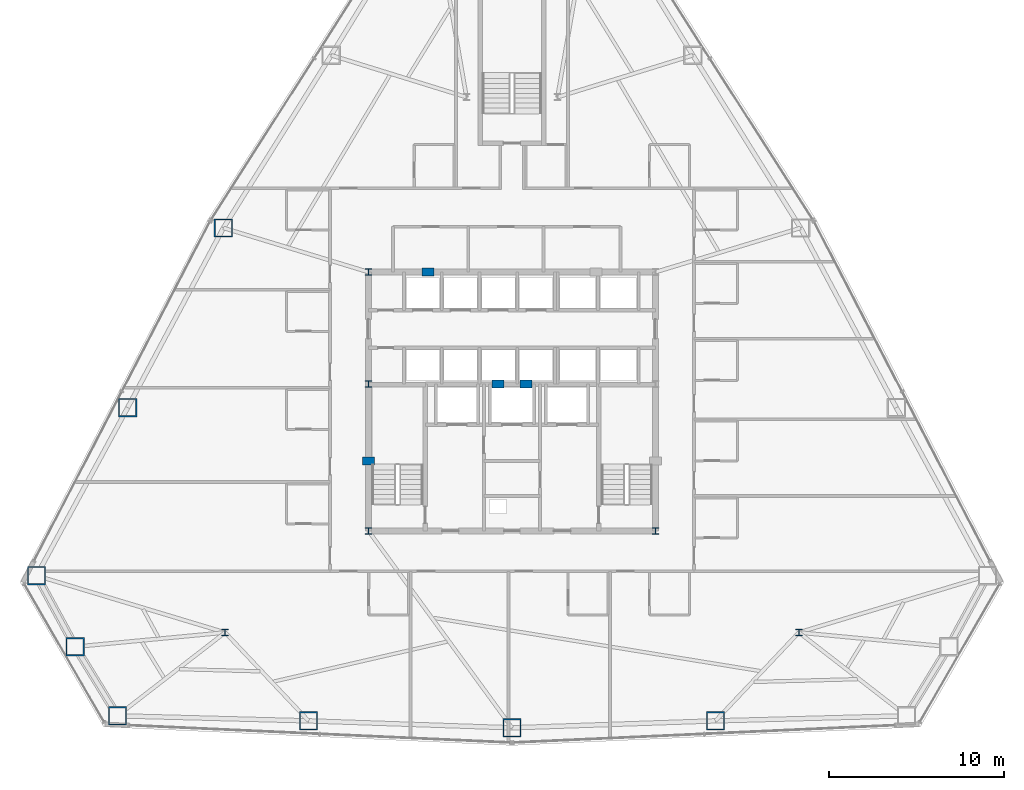
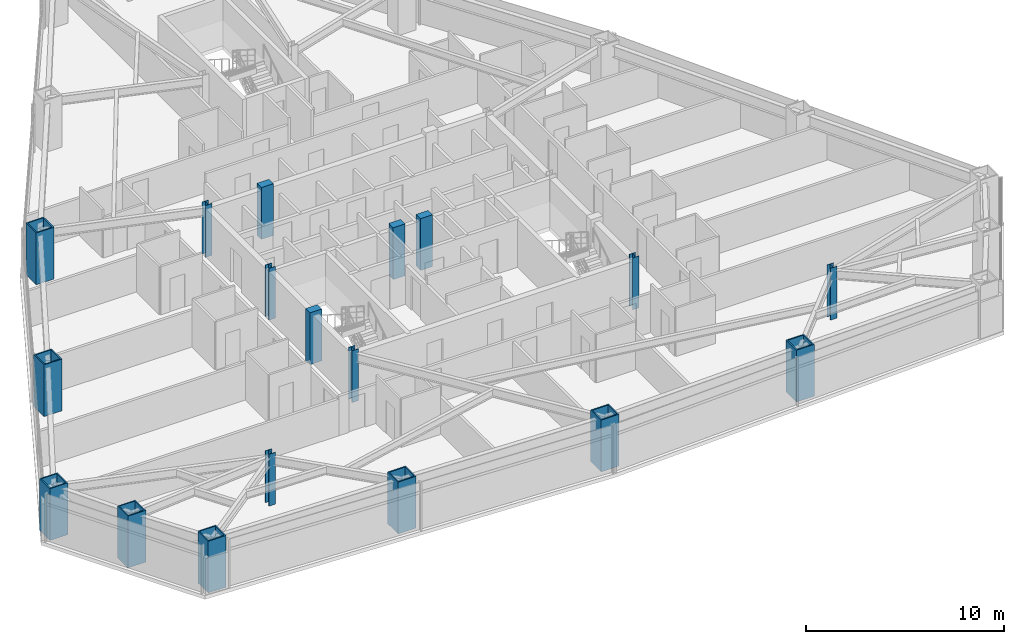
# One storey, part 1 of 13: 18 columns.
"""IFC4 building model written with IfcOpenShell, lengths in metres."""

from ifc_helpers import new_model, si_unit, direction, frame, origin, origin_2d, place, context, subcontext, project, spatial, rectangle, hollow_rectangle, i_section, extrude, material, material_profile, profile_set, type_object, element, save


model = new_model("IFC4")

# Units and contexts
model_context = context("Model", 3, precision=1e-05, world=origin(), true_north=direction((0.0, 1.0)))
body_context = subcontext(model_context, "Body", "Model", "MODEL_VIEW")
ifc_project = project(units=[si_unit("LENGTHUNIT", "METRE"), si_unit("AREAUNIT", "SQUARE_METRE"), si_unit("VOLUMEUNIT", "CUBIC_METRE"), si_unit("PLANEANGLEUNIT", "RADIAN"), si_unit("MASSUNIT", "GRAM", prefix="KILO")], contexts=[model_context])

# Site, building, storey
site_placement = place(None, origin())
site = spatial("IfcSite", under=ifc_project, at=site_placement, CompositionType="ELEMENT")
building_placement = place(site_placement, origin())
building = spatial("IfcBuilding", under=site, at=building_placement, Name="Varakhsha Concourse Tower", CompositionType="ELEMENT")
storey_placement = place(building_placement, frame((0.0, 0.0, 83.0)))
storey = spatial("IfcBuildingStorey", under=building, at=storey_placement, Name="L23", CompositionType="ELEMENT", Elevation=83.0)

# Columns
ifc_material_1 = material(Name="Structural Steel ASTM A992 Grade 50", Category="steel")
ifc_material_profile_1 = material_profile(ifc_material_1, i_section(OverallWidth=0.3740234375, OverallDepth=0.3720703125, WebThickness=0.01611328125, FlangeThickness=0.02587890625, at=origin_2d()), Name="W14X132")
ifc_profile_set_1 = profile_set([ifc_material_profile_1], Name="Structural Steel ASTM A992 Grade 50")
column_type_1 = type_object("IfcColumnType", Name="CL-CORE-W14X132", PredefinedType="COLUMN", material=ifc_profile_set_1)
for number, where, z_axis, x_axis, name in (
    (1, (31.800048828125, 16.39990234375, 0.0), (0.0, 0.0, 1.0), (1.0, 0.0, 0.0), "L23 Core Column CC-SW"),
    (2, (48.199951171875, 16.39990234375, 0.0), (0.0, 0.0, 1.0), (1.0, 0.0, 0.0), "L23 Core Column CC-SE"),
    (3, (31.800048828125, 24.800048828125, 0.0), (0.0, 0.0, 1.0), (1.0, 0.0, 0.0), "L23 Core Column CC-MW"),
    (4, (31.800048828125, 31.199951171875, 0.0), (0.0, 0.0, 1.0), (1.0, 0.0, 0.0), "L23 Core Column CC-NW"),
    (5, (23.60009765625, 10.60009765625, 0.0), (0.0, 0.0, 1.0), (1.0, 0.0, 0.0), "L23 Core Column SS-W"),
    (6, (56.39990234375, 10.60009765625, 0.0), (0.0, 0.0, 1.0), (1.0, 0.0, 0.0), "L23 Core Column SS-E"),
):
    element("IfcColumn", number, at=place(storey_placement, frame(where, z_axis=z_axis, x_axis=x_axis)), inside=storey, type_object=column_type_1, Name=name, PredefinedType="COLUMN", context=body_context, shape_type="SweptSolid", body=[
        extrude(i_section(OverallWidth=0.3740234375, OverallDepth=0.3720703125, WebThickness=0.01611328125, FlangeThickness=0.02587890625, at=origin_2d()), origin(), (0.0, 0.0, 1.0), 3.199951171875),
    ])
ifc_material_2 = material(Name="Concrete fc 65 MPa", Category="concrete")
ifc_material_profile_2 = material_profile(ifc_material_2, rectangle(XDim=0.699951171875, YDim=0.449951171875, at=origin_2d()), Name="RC 700x450")
ifc_profile_set_2 = profile_set([ifc_material_profile_2], Name="Concrete fc 65 MPa")
column_type_2 = type_object("IfcColumnType", Name="CL-PIL-700X450", PredefinedType="PILASTER", material=ifc_profile_set_2)
for number, where, z_axis, x_axis, name in (
    (7, (31.800048828125, 20.39990234375, 0.0), (0.0, 0.0, 1.0), (1.0, 0.0, 0.0), "L23 Core Boundary Pilaster PIL-W1"),
    (8, (35.199951171875, 31.199951171875, 0.0), (0.0, 0.0, 1.0), (1.0, 0.0, 0.0), "L23 Core Boundary Pilaster PIL-N1"),
    (9, (39.199951171875, 24.800048828125, 0.0), (0.0, 0.0, 1.0), (1.0, 0.0, 0.0), "L23 Core Boundary Pilaster PIL-M1"),
    (10, (40.800048828125, 24.800048828125, 0.0), (0.0, 0.0, 1.0), (1.0, 0.0, 0.0), "L23 Core Boundary Pilaster PIL-M2"),
):
    element("IfcColumn", number, at=place(storey_placement, frame(where, z_axis=z_axis, x_axis=x_axis)), inside=storey, type_object=column_type_2, Name=name, PredefinedType="PILASTER", context=body_context, shape_type="SweptSolid", body=[
        extrude(rectangle(XDim=0.699951171875, YDim=0.449951171875, at=origin_2d()), origin(), (0.0, 0.0, 1.0), 3.199951171875),
    ])
ifc_material_3 = material(Name="Structural Steel ASTM A572 Grade 50", Category="steel")
ifc_material_profile_3 = material_profile(ifc_material_3, hollow_rectangle(XDim=1.050048828125, YDim=1.050048828125, WallThickness=0.070068359375, at=origin_2d()), Name="BOX 1050x1050x70")
ifc_profile_set_3 = profile_set([ifc_material_profile_3], Name="Structural Steel ASTM A572 Grade 50")
column_type_3 = type_object("IfcColumnType", Name="CL-TUBE-1050", PredefinedType="COLUMN", material=ifc_profile_set_3)
for number, where, z_axis, x_axis, name in (
    (11, (23.50390625, 33.72412109375, 0.0), (0.0, 0.0, 1.0), (1.0, 0.0, 0.0), "L23 Framed-Tube Column TC05"),
    (12, (18.033203125, 23.45458984375, 0.0), (0.0, 0.0, 1.0), (1.0, 0.0, 0.0), "L23 Framed-Tube Column TC06"),
    (13, (12.822509765625, 13.849365234375, 0.0), (0.0, 0.0, 1.0), (1.0, 0.0, 0.0), "L23 Framed-Tube Column TC07"),
    (14, (15.03173828125, 9.784423828125, 0.0), (0.0, 0.0, 1.0), (1.0, 0.0, 0.0), "L23 Framed-Tube Column TC08"),
    (15, (17.447265625, 5.8388671875, 0.0), (0.0, 0.0, 1.0), (1.0, 0.0, 0.0), "L23 Framed-Tube Column TC09"),
    (16, (28.37109375, 5.549072265625, 0.0), (0.0, 0.0, 1.0), (1.0, 0.0, 0.0), "L23 Framed-Tube Column TC10"),
    (17, (40.0, 5.15185546875, 0.0), (0.0, 0.0, 1.0), (1.0, 0.0, 0.0), "L23 Framed-Tube Column TC11"),
    (18, (51.62890625, 5.549072265625, 0.0), (0.0, 0.0, 1.0), (1.0, 0.0, 0.0), "L23 Framed-Tube Column TC12"),
):
    element("IfcColumn", number, at=place(storey_placement, frame(where, z_axis=z_axis, x_axis=x_axis)), inside=storey, type_object=column_type_3, Name=name, PredefinedType="COLUMN", context=body_context, shape_type="SweptSolid", body=[
        extrude(hollow_rectangle(XDim=1.050048828125, YDim=1.050048828125, WallThickness=0.070068359375, at=origin_2d()), origin(), (0.0, 0.0, 1.0), 3.199951171875),
    ])

save(model, "model.ifc")
